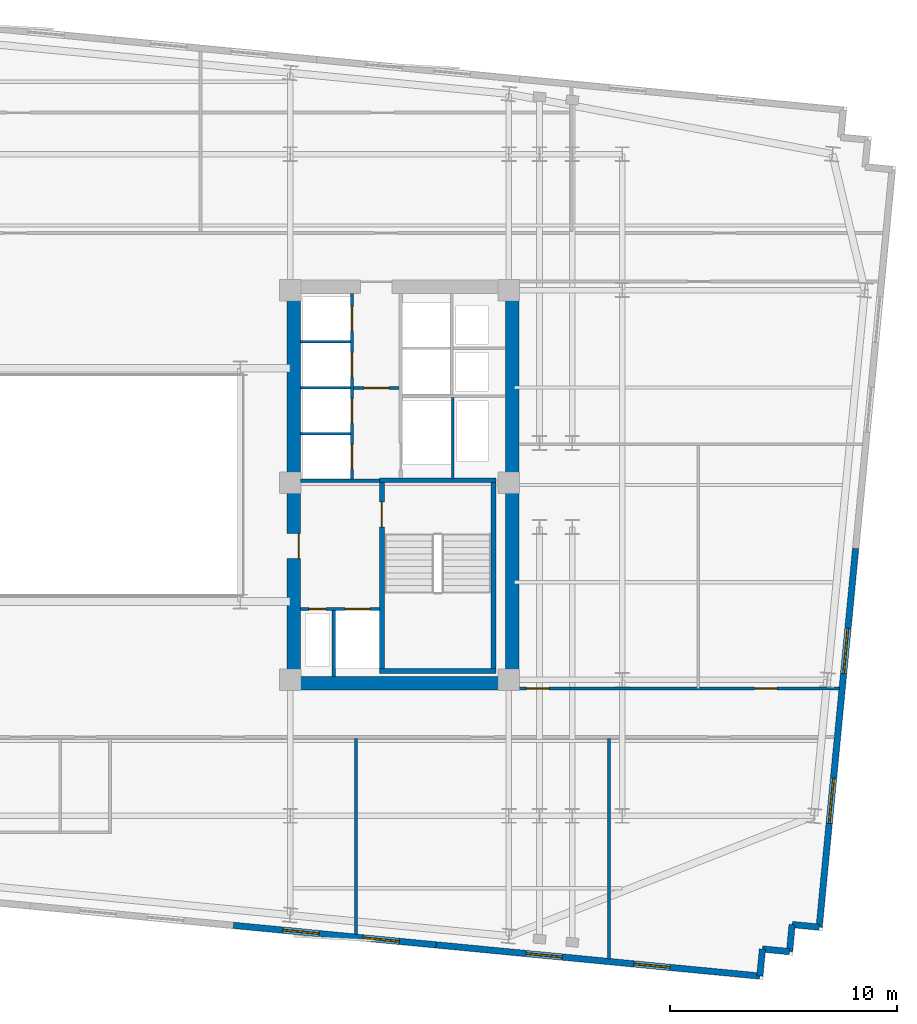
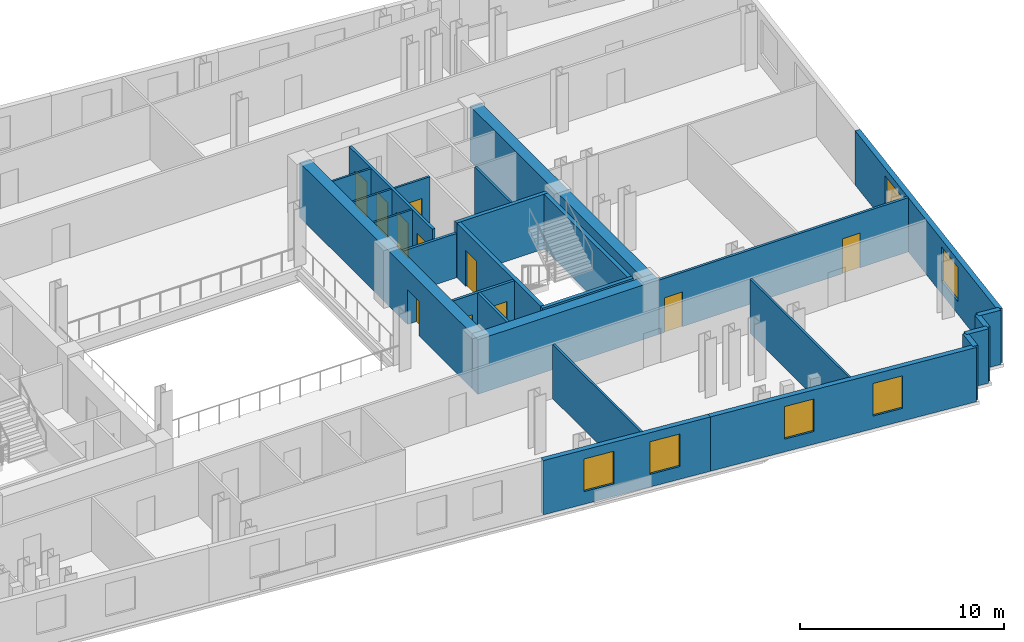
# One storey, part 5 of 9: 26 walls, 11 doors, 6 windows, 17 openings.
"""IFC4 building model written with IfcOpenShell, lengths in metres."""

from ifc_helpers import new_model, si_unit, direction, frame, frame_2d, origin, place, context, subcontext, project, spatial, rectangle, extrude, material, layer, layer_set, type_object, element, fill, save


model = new_model("IFC4")

# Units and contexts
model_context = context("Model", 3, precision=1e-05, world=origin(), true_north=direction((0.0, 1.0)))
body_context = subcontext(model_context, "Body", "Model", "MODEL_VIEW")
ifc_project = project(units=[si_unit("LENGTHUNIT", "METRE"), si_unit("AREAUNIT", "SQUARE_METRE"), si_unit("VOLUMEUNIT", "CUBIC_METRE"), si_unit("PLANEANGLEUNIT", "RADIAN"), si_unit("MASSUNIT", "GRAM", prefix="KILO")], contexts=[model_context])

# Site, building, storey
site_placement = place(None, origin())
site = spatial("IfcSite", under=ifc_project, at=site_placement, CompositionType="ELEMENT")
building_placement = place(site_placement, origin())
building = spatial("IfcBuilding", under=site, at=building_placement, Name="Velakula Bourse", CompositionType="ELEMENT")
storey_placement = place(building_placement, frame((0.0, 0.0, 181.10009765625)))
storey = spatial("IfcBuildingStorey", under=building, at=storey_placement, Name="L49", CompositionType="ELEMENT", Elevation=181.10009765625)

# Wall, opening, door
ifc_material_1 = material(Name="Concrete M50 (fck 50 MPa)", Category="concrete")
ifc_layer_1 = layer(ifc_material_1, 0.2099609375, Name="Concrete M50 (fck 50 MPa)", Category="concrete")
ifc_layer_set_1 = layer_set([ifc_layer_1], Name="Concrete M50 (fck 50 MPa)")
wall_type_1 = type_object("IfcWallType", Name="WL-CORE-210", PredefinedType="SHEAR", material=ifc_layer_set_1)
wall_1_placement = place(storey_placement, frame((12.9951171875, -8.10009765625, 0.0), z_axis=(0.0, 0.0, 1.0), x_axis=(0.0, 1.0, 0.0)))
wall_1 = element("IfcWall", 1, at=wall_1_placement, inside=storey, type_object=wall_type_1, Name="L49 Core E Stairwell Shear Wall IN", PredefinedType="SHEAR", context=body_context, shape_type="SweptSolid", body=[
    extrude(rectangle(XDim=8.2001953125, YDim=0.2099609375, at=frame_2d((4.10009765625, 0.0))), origin(), (0.0, 0.0, 1.0), 3.27001953125),
])
opening_1_placement = place(wall_1_placement, frame((6.25, 0.0, 0.0)))
opening_1 = element("IfcOpeningElement", 2, at=opening_1_placement, cuts=wall_1, Name="Opening D-STE1", PredefinedType="OPENING", context=body_context, shape_type="SweptSolid", body=[
    extrude(rectangle(XDim=1.10009765625, YDim=2.14990234375, at=frame_2d((0.550048828125, 1.074951171875))), frame((0.0, 0.114990234375, 0.0), z_axis=(0.0, -1.0, 0.0), x_axis=(1.0, 0.0, 0.0)), (0.0, 0.0, 1.0), 0.22998046875),
])
ifc_material_2 = material(Name="Galvanised painted hollow steel fire door", Category="steel")
door_type_1 = type_object("IfcDoorType", Name="DR-FD120-1100x2150", OperationType="NOTDEFINED", PredefinedType="DOOR", material=ifc_material_2)
door_1_placement = place(opening_1_placement, origin())
door_1 = element("IfcDoor", 3, at=door_1_placement, inside=storey, type_object=door_type_1, Name="L49 Stair ST-E1 Fire Door", OperationType="SINGLE_SWING_RIGHT", OverallHeight=2.14990234375, OverallWidth=1.10009765625, PredefinedType="DOOR", context=body_context, shape_type="SweptSolid", body=[
    extrude(rectangle(XDim=1.10009765625, YDim=2.14990234375, at=frame_2d((0.550048828125, 1.074951171875))), frame((0.0, 0.02490234375, 0.0), z_axis=(0.0, -1.0, 0.0), x_axis=(1.0, 0.0, 0.0)), (0.0, 0.0, 1.0), 0.050048828125),
])
fill(opening_1, door_1)

# Walls
wall_2_placement = place(storey_placement, frame((17.925048828125, -8.10009765625, 0.0), z_axis=(0.0, 0.0, 1.0), x_axis=(0.0, 1.0, 0.0)))
element("IfcWall", 4, at=wall_2_placement, inside=storey, type_object=wall_type_1, Name="L49 Core E Stairwell Shear Wall OUT", PredefinedType="SHEAR", context=body_context, shape_type="SweptSolid", body=[
    extrude(rectangle(XDim=8.2001953125, YDim=0.2099609375, at=frame_2d((4.10009765625, 0.0))), origin(), (0.0, 0.0, 1.0), 3.27001953125),
])
for number, where, z_axis, x_axis, name in (
    (5, (12.889892578125, -8.205078125, 0.0), (0.0, 0.0, 1.0), (1.0, 0.0, 0.0), "L49 Core E Stairwell Shear Wall S"),
    (6, (18.030029296875, 0.205078125, 0.0), (0.0, 0.0, 1.0), (-1.0, 0.0, 0.0), "L49 Core E Stairwell Shear Wall N"),
):
    element("IfcWall", number, at=place(storey_placement, frame(where, z_axis=z_axis, x_axis=x_axis)), inside=storey, type_object=wall_type_1, Name=name, PredefinedType="SHEAR", context=body_context, shape_type="SweptSolid", body=[
        extrude(rectangle(XDim=5.14013671875, YDim=0.2099609375, at=frame_2d((2.570068359375, 0.0))), origin(), (0.0, 0.0, 1.0), 3.27001953125),
    ])
ifc_material_3 = material(Name="Concrete M70 (fck 70 MPa)", Category="concrete")
ifc_layer_2 = layer(ifc_material_3, 0.60009765625, Name="Concrete M70 (fck 70 MPa)", Category="concrete")
ifc_layer_set_2 = layer_set([ifc_layer_2], Name="Concrete M70 (fck 70 MPa)")
wall_type_2 = type_object("IfcWallType", Name="WL-CORE-600", PredefinedType="SHEAR", material=ifc_layer_set_2)
wall_3_placement = place(storey_placement, frame((8.800048828125, -8.75, 0.0), z_axis=(0.0, 0.0, 1.0), x_axis=(1.0, 0.0, 0.0)))
element("IfcWall", 7, at=wall_3_placement, inside=storey, type_object=wall_type_2, Name="L49 Core E Shear Wall S", PredefinedType="SHEAR", context=body_context, shape_type="SweptSolid", body=[
    extrude(rectangle(XDim=10.25, YDim=0.60009765625, at=frame_2d((5.125, 0.0))), origin(), (0.0, 0.0, 1.0), 3.27001953125),
])

# Wall, opening, door
wall_4_placement = place(storey_placement, frame((9.10009765625, -8.449951171875, 0.0), z_axis=(0.0, 0.0, 1.0), x_axis=(0.0, 1.0, 0.0)))
wall_4 = element("IfcWall", 8, at=wall_4_placement, inside=storey, type_object=wall_type_2, Name="L49 Core E Shear Wall W", PredefinedType="SHEAR", context=body_context, shape_type="SweptSolid", body=[
    extrude(rectangle(XDim=16.89990234375, YDim=0.60009765625, at=frame_2d((8.449951171875, 0.0))), origin(), (0.0, 0.0, 1.0), 3.27001953125),
])
opening_2_placement = place(wall_4_placement, frame((5.199951171875, 0.0, 0.0)))
opening_2 = element("IfcOpeningElement", 9, at=opening_2_placement, cuts=wall_4, Name="Opening D-FLE", PredefinedType="OPENING", context=body_context, shape_type="SweptSolid", body=[
    extrude(rectangle(XDim=1.10009765625, YDim=2.080078125, at=frame_2d((0.550048828125, 1.0400390625))), frame((0.0, 0.31005859375, 0.0), z_axis=(0.0, -1.0, 0.0), x_axis=(1.0, 0.0, 0.0)), (0.0, 0.0, 1.0), 0.6201171875),
])
door_type_2 = type_object("IfcDoorType", Name="DR-FD120-1100", OperationType="NOTDEFINED", PredefinedType="DOOR", material=ifc_material_2)
door_2_placement = place(opening_2_placement, origin())
door_2 = element("IfcDoor", 10, at=door_2_placement, inside=storey, type_object=door_type_2, Name="L49 Firefighting Lobby E Corridor Fire Door", OperationType="SINGLE_SWING_RIGHT", OverallHeight=2.080078125, OverallWidth=1.10009765625, PredefinedType="DOOR", context=body_context, shape_type="SweptSolid", body=[
    extrude(rectangle(XDim=1.10009765625, YDim=2.080078125, at=frame_2d((0.550048828125, 1.0400390625))), frame((0.0, -0.205078125, 0.0), z_axis=(0.0, -1.0, 0.0), x_axis=(1.0, 0.0, 0.0)), (0.0, 0.0, 1.0), 0.050048828125),
])
fill(opening_2, door_2)

# Wall
wall_5_placement = place(storey_placement, frame((18.75, -8.449951171875, 0.0), z_axis=(0.0, 0.0, 1.0), x_axis=(0.0, 1.0, 0.0)))
element("IfcWall", 11, at=wall_5_placement, inside=storey, type_object=wall_type_2, Name="L49 Core E Shear Wall E", PredefinedType="SHEAR", context=body_context, shape_type="SweptSolid", body=[
    extrude(rectangle(XDim=16.89990234375, YDim=0.60009765625, at=frame_2d((8.449951171875, 0.0))), origin(), (0.0, 0.0, 1.0), 3.27001953125),
])

# Wall, openings, windows
ifc_material_4 = material(Name="Red kilned clay facing brick masonry", Category="masonry")
ifc_layer_3 = layer(ifc_material_4, 0.280029296875, Name="Red kilned clay facing brick masonry", Category="masonry")
ifc_layer_set_3 = layer_set([ifc_layer_3], Name="Red kilned clay facing brick masonry")
wall_type_3 = type_object("IfcWallType", Name="WL-EXT-BRK-280", PredefinedType="STANDARD", material=ifc_layer_set_3)
wall_6_placement = place(storey_placement, frame((15.398681640625, -20.295654296875, 0.0), z_axis=(0.0, 0.0, 1.0), x_axis=(-0.995394455533, 0.09586385082, 0.0)))
wall_6 = element("IfcWall", 12, at=wall_6_placement, inside=storey, type_object=wall_type_3, Name="L49 S Brick Spandrel Wall B4", PredefinedType="STANDARD", context=body_context, shape_type="SweptSolid", body=[
    extrude(rectangle(XDim=9.000244140625, YDim=0.280029296875, at=frame_2d((4.5, 0.0))), origin(), (0.0, 0.0, 1.0), 3.25),
])
opening_3_placement = place(wall_6_placement, frame((1.64990234375, 0.0, 0.760009765625)))
opening_3 = element("IfcOpeningElement", 13, at=opening_3_placement, cuts=wall_6, Name="Opening W-02", PredefinedType="OPENING", context=body_context, shape_type="SweptSolid", body=[
    extrude(rectangle(XDim=1.60009765625, YDim=1.949951171875, at=frame_2d((0.800048828125, 0.97509765625))), frame((0.0, 0.14990234375, 0.0), z_axis=(0.0, -1.0, 0.0), x_axis=(1.0, 0.0, 0.0)), (0.0, 0.0, 1.0), 0.300048828125),
])
opening_4_placement = place(wall_6_placement, frame((5.199951171875, 0.0, 0.760009765625)))
opening_4 = element("IfcOpeningElement", 14, at=opening_4_placement, cuts=wall_6, Name="Opening W-02", PredefinedType="OPENING", context=body_context, shape_type="SweptSolid", body=[
    extrude(rectangle(XDim=1.60009765625, YDim=1.949951171875, at=frame_2d((0.800048828125, 0.97509765625))), frame((0.0, 0.14990234375, 0.0), z_axis=(0.0, -1.0, 0.0), x_axis=(1.0, 0.0, 0.0)), (0.0, 0.0, 1.0), 0.300048828125),
])
ifc_material_5 = material(Name="Double-glazed solar-control Low-E glass", Category="glass")
window_type_1 = type_object("IfcWindowType", Name="WIN-TWR-1600x2100", PartitioningType="SINGLE_PANEL", PredefinedType="WINDOW", material=ifc_material_5)
window_1_placement = place(opening_3_placement, origin())
window_1 = element("IfcWindow", 15, at=window_1_placement, inside=storey, type_object=window_type_1, Name="L49 Deep-Set Recessed Window 1", OverallHeight=1.949951171875, OverallWidth=1.60009765625, PartitioningType="SINGLE_PANEL", PredefinedType="WINDOW", context=body_context, shape_type="SweptSolid", body=[
    extrude(rectangle(XDim=1.60009765625, YDim=1.949951171875, at=frame_2d((0.800048828125, 0.97509765625))), frame((0.0, 0.030029296875, 0.0), z_axis=(0.0, -1.0, 0.0), x_axis=(1.0, 0.0, 0.0)), (0.0, 0.0, 1.0), 0.06005859375),
])
fill(opening_3, window_1)
window_2_placement = place(opening_4_placement, origin())
window_2 = element("IfcWindow", 16, at=window_2_placement, inside=storey, type_object=window_type_1, Name="L49 Deep-Set Recessed Window 2", OverallHeight=1.949951171875, OverallWidth=1.60009765625, PartitioningType="SINGLE_PANEL", PredefinedType="WINDOW", context=body_context, shape_type="SweptSolid", body=[
    extrude(rectangle(XDim=1.60009765625, YDim=1.949951171875, at=frame_2d((0.800048828125, 0.97509765625))), frame((0.0, 0.030029296875, 0.0), z_axis=(0.0, -1.0, 0.0), x_axis=(1.0, 0.0, 0.0)), (0.0, 0.0, 1.0), 0.06005859375),
])
fill(opening_4, window_2)

wall_7_placement = place(storey_placement, frame((29.672607421875, -21.669921875, 0.0), z_axis=(0.0, 0.0, 1.0), x_axis=(-0.995397230529, 0.095835032509, 0.0)))
wall_7 = element("IfcWall", 17, at=wall_7_placement, inside=storey, type_object=wall_type_3, Name="L49 S Brick Spandrel Wall B5", PredefinedType="STANDARD", context=body_context, shape_type="SweptSolid", body=[
    extrude(rectangle(XDim=14.33984375, YDim=0.280029296875, at=frame_2d((7.169921875, 0.0))), origin(), (0.0, 0.0, 1.0), 3.25),
])
opening_5_placement = place(wall_7_placement, frame((3.97998046875, 0.0, 0.760009765625)))
opening_5 = element("IfcOpeningElement", 18, at=opening_5_placement, cuts=wall_7, Name="Opening W-02", PredefinedType="OPENING", context=body_context, shape_type="SweptSolid", body=[
    extrude(rectangle(XDim=1.60009765625, YDim=1.949951171875, at=frame_2d((0.800048828125, 0.97509765625))), frame((0.0, 0.14990234375, 0.0), z_axis=(0.0, -1.0, 0.0), x_axis=(1.0, 0.0, 0.0)), (0.0, 0.0, 1.0), 0.300048828125),
])
opening_6_placement = place(wall_7_placement, frame((8.760009765625, 0.0, 0.760009765625)))
opening_6 = element("IfcOpeningElement", 19, at=opening_6_placement, cuts=wall_7, Name="Opening W-02", PredefinedType="OPENING", context=body_context, shape_type="SweptSolid", body=[
    extrude(rectangle(XDim=1.60009765625, YDim=1.949951171875, at=frame_2d((0.800048828125, 0.97509765625))), frame((0.0, 0.14990234375, 0.0), z_axis=(0.0, -1.0, 0.0), x_axis=(1.0, 0.0, 0.0)), (0.0, 0.0, 1.0), 0.300048828125),
])
window_3_placement = place(opening_5_placement, origin())
window_3 = element("IfcWindow", 20, at=window_3_placement, inside=storey, type_object=window_type_1, Name="L49 Deep-Set Recessed Window 1", OverallHeight=1.949951171875, OverallWidth=1.60009765625, PartitioningType="SINGLE_PANEL", PredefinedType="WINDOW", context=body_context, shape_type="SweptSolid", body=[
    extrude(rectangle(XDim=1.60009765625, YDim=1.949951171875, at=frame_2d((0.800048828125, 0.97509765625))), frame((0.0, 0.030029296875, 0.0), z_axis=(0.0, -1.0, 0.0), x_axis=(1.0, 0.0, 0.0)), (0.0, 0.0, 1.0), 0.06005859375),
])
fill(opening_5, window_3)
window_4_placement = place(opening_6_placement, origin())
window_4 = element("IfcWindow", 21, at=window_4_placement, inside=storey, type_object=window_type_1, Name="L49 Deep-Set Recessed Window 2", OverallHeight=1.949951171875, OverallWidth=1.60009765625, PartitioningType="SINGLE_PANEL", PredefinedType="WINDOW", context=body_context, shape_type="SweptSolid", body=[
    extrude(rectangle(XDim=1.60009765625, YDim=1.949951171875, at=frame_2d((0.800048828125, 0.97509765625))), frame((0.0, 0.030029296875, 0.0), z_axis=(0.0, -1.0, 0.0), x_axis=(1.0, 0.0, 0.0)), (0.0, 0.0, 1.0), 0.06005859375),
])
fill(opening_6, window_4)

wall_8_placement = place(storey_placement, frame((33.90087890625, -2.79833984375, 0.0), z_axis=(0.0, 0.0, 1.0), x_axis=(-0.095853434568, -0.99539545864, 0.0)))
wall_8 = element("IfcWall", 22, at=wall_8_placement, inside=storey, type_object=wall_type_3, Name="L49 E Brick End Wall W1", PredefinedType="STANDARD", context=body_context, shape_type="SweptSolid", body=[
    extrude(rectangle(XDim=16.7900390625, YDim=0.280029296875, at=frame_2d((8.39501953125, 0.0))), origin(), (0.0, 0.0, 1.0), 3.25),
])
opening_7_placement = place(wall_8_placement, frame((3.546630859375, 0.0, 0.760009765625)))
opening_7 = element("IfcOpeningElement", 23, at=opening_7_placement, cuts=wall_8, Name="Opening W-05", PredefinedType="OPENING", context=body_context, shape_type="SweptSolid", body=[
    extrude(rectangle(XDim=2.0, YDim=2.050048828125, at=frame_2d((1.0, 1.02490234375))), frame((0.0, 0.14990234375, 0.0), z_axis=(0.0, -1.0, 0.0), x_axis=(1.0, 0.0, 0.0)), (0.0, 0.0, 1.0), 0.300048828125),
])
opening_8_placement = place(wall_8_placement, frame((10.193359375, 0.0, 0.760009765625)))
opening_8 = element("IfcOpeningElement", 24, at=opening_8_placement, cuts=wall_8, Name="Opening W-05", PredefinedType="OPENING", context=body_context, shape_type="SweptSolid", body=[
    extrude(rectangle(XDim=2.0, YDim=2.050048828125, at=frame_2d((1.0, 1.02490234375))), frame((0.0, 0.14990234375, 0.0), z_axis=(0.0, -1.0, 0.0), x_axis=(1.0, 0.0, 0.0)), (0.0, 0.0, 1.0), 0.300048828125),
])
window_type_2 = type_object("IfcWindowType", Name="WIN-TWR-2000x2200", PartitioningType="DOUBLE_PANEL_VERTICAL", PredefinedType="WINDOW", material=ifc_material_5)
window_5_placement = place(opening_7_placement, origin())
window_5 = element("IfcWindow", 25, at=window_5_placement, inside=storey, type_object=window_type_2, Name="L49 Deep-Set Recessed Window 1", OverallHeight=2.050048828125, OverallWidth=2.0, PartitioningType="DOUBLE_PANEL_VERTICAL", PredefinedType="WINDOW", context=body_context, shape_type="SweptSolid", body=[
    extrude(rectangle(XDim=2.0, YDim=2.050048828125, at=frame_2d((1.0, 1.02490234375))), frame((0.0, 0.030029296875, 0.0), z_axis=(0.0, -1.0, 0.0), x_axis=(1.0, 0.0, 0.0)), (0.0, 0.0, 1.0), 0.06005859375),
])
fill(opening_7, window_5)
window_6_placement = place(opening_8_placement, origin())
window_6 = element("IfcWindow", 26, at=window_6_placement, inside=storey, type_object=window_type_2, Name="L49 Deep-Set Recessed Window 2", OverallHeight=2.050048828125, OverallWidth=2.0, PartitioningType="DOUBLE_PANEL_VERTICAL", PredefinedType="WINDOW", context=body_context, shape_type="SweptSolid", body=[
    extrude(rectangle(XDim=2.0, YDim=2.050048828125, at=frame_2d((1.0, 1.02490234375))), frame((0.0, 0.030029296875, 0.0), z_axis=(0.0, -1.0, 0.0), x_axis=(1.0, 0.0, 0.0)), (0.0, 0.0, 1.0), 0.06005859375),
])
fill(opening_8, window_6)

# Walls
for number, where, z_axis, x_axis, name in (
    (27, (29.672607421875, -21.669921875, 0.0), (0.0, 0.0, 1.0), (0.095836473879, 0.995397091755, 0.0), "L49 Serrated Corner Brick Wall SE-1"),
    (28, (29.78759765625, -20.4755859375, 0.0), (0.0, 0.0, 1.0), (0.995397091755, -0.095836473879, 0.0), "L49 Serrated Corner Brick Wall SE-2"),
):
    element("IfcWall", number, at=place(storey_placement, frame(where, z_axis=z_axis, x_axis=x_axis)), inside=storey, type_object=wall_type_3, Name=name, PredefinedType="STANDARD", context=body_context, shape_type="SweptSolid", body=[
        extrude(rectangle(XDim=1.199951171875, YDim=0.280029296875, at=frame_2d((0.60009765625, 0.0))), origin(), (0.0, 0.0, 1.0), 3.25),
    ])
wall_9_placement = place(storey_placement, frame((30.98193359375, -20.590576171875, 0.0), z_axis=(0.0, 0.0, 1.0), x_axis=(0.096018626938, 0.995379537303, 0.0)))
element("IfcWall", 29, at=wall_9_placement, inside=storey, type_object=wall_type_3, Name="L49 Serrated Corner Brick Wall SE-3", PredefinedType="STANDARD", context=body_context, shape_type="SweptSolid", body=[
    extrude(rectangle(XDim=1.2001953125, YDim=0.280029296875, at=frame_2d((0.60009765625, 0.0))), origin(), (0.0, 0.0, 1.0), 3.25),
])
wall_10_placement = place(storey_placement, frame((31.09716796875, -19.39599609375, 0.0), z_axis=(0.0, 0.0, 1.0), x_axis=(0.995397091755, -0.095836473879, 0.0)))
element("IfcWall", 30, at=wall_10_placement, inside=storey, type_object=wall_type_3, Name="L49 Serrated Corner Brick Wall SE-4", PredefinedType="STANDARD", context=body_context, shape_type="SweptSolid", body=[
    extrude(rectangle(XDim=1.199951171875, YDim=0.280029296875, at=frame_2d((0.60009765625, 0.0))), origin(), (0.0, 0.0, 1.0), 3.25),
])

# Wall, opening, door
ifc_material_6 = material(Name="Fire-rated double-layer gypsum drywall partition", Category="gypsum")
ifc_layer_4 = layer(ifc_material_6, 0.1201171875, Name="Fire-rated double-layer gypsum drywall partition", Category="gypsum")
ifc_layer_set_4 = layer_set([ifc_layer_4], Name="Fire-rated double-layer gypsum drywall partition")
wall_type_4 = type_object("IfcWallType", Name="WL-PART-120", PredefinedType="STANDARD", material=ifc_layer_set_4)
wall_11_placement = place(storey_placement, frame((11.75, 4.280029296875, 0.0), z_axis=(0.0, 0.0, 1.0), x_axis=(1.0, 0.0, 0.0)))
wall_11 = element("IfcWall", 31, at=wall_11_placement, inside=storey, type_object=wall_type_4, Name="L49 Interior Partition WL-CRE-L49-LL-K2", PredefinedType="STANDARD", context=body_context, shape_type="SweptSolid", body=[
    extrude(rectangle(XDim=2.0, YDim=0.1201171875, at=frame_2d((1.0, 0.0))), origin(), (0.0, 0.0, 1.0), 3.25),
])
opening_9_placement = place(wall_11_placement, frame((0.449951171875, 0.0, 0.0)))
opening_9 = element("IfcOpeningElement", 32, at=opening_9_placement, cuts=wall_11, Name="Opening D-LK2", PredefinedType="OPENING", context=body_context, shape_type="SweptSolid", body=[
    extrude(rectangle(XDim=1.10009765625, YDim=2.10009765625, at=frame_2d((0.550048828125, 1.050048828125))), frame((0.0, 0.070068359375, 0.0), z_axis=(0.0, -1.0, 0.0), x_axis=(1.0, 0.0, 0.0)), (0.0, 0.0, 1.0), 0.14013671875),
])
ifc_material_7 = material(Name="Fire-rated hardwood flush architectural door", Category="wood")
door_type_3 = type_object("IfcDoorType", Name="DR-FD60-1100x2100", OperationType="NOTDEFINED", PredefinedType="DOOR", material=ifc_material_7)
door_3_placement = place(opening_9_placement, origin())
door_3 = element("IfcDoor", 33, at=door_3_placement, inside=storey, type_object=door_type_3, Name="L49 Core E Lift Lobby Zone Door", OperationType="SINGLE_SWING_LEFT", OverallHeight=2.10009765625, OverallWidth=1.10009765625, PredefinedType="DOOR", context=body_context, shape_type="SweptSolid", body=[
    extrude(rectangle(XDim=1.10009765625, YDim=2.10009765625, at=frame_2d((0.550048828125, 1.050048828125))), frame((0.0, 0.02490234375, 0.0), z_axis=(0.0, -1.0, 0.0), x_axis=(1.0, 0.0, 0.0)), (0.0, 0.0, 1.0), 0.050048828125),
])
fill(opening_9, door_3)

# Walls
for number, where, z_axis, x_axis, name in (
    (34, (9.39990234375, 2.2548828125, 0.0), (0.0, 0.0, 1.0), (1.0, 0.0, 0.0), "L49 Interior Partition WL-CRE-L49-BDIV-0"),
    (35, (9.39990234375, 4.284912109375, 0.0), (0.0, 0.0, 1.0), (1.0, 0.0, 0.0), "L49 Interior Partition WL-CRE-L49-BDIV-1"),
    (36, (9.39990234375, 6.31494140625, 0.0), (0.0, 0.0, 1.0), (1.0, 0.0, 0.0), "L49 Interior Partition WL-CRE-L49-BDIV-2"),
):
    element("IfcWall", number, at=place(storey_placement, frame(where, z_axis=z_axis, x_axis=x_axis)), inside=storey, type_object=wall_type_4, Name=name, PredefinedType="STANDARD", context=body_context, shape_type="SweptSolid", body=[
        extrude(rectangle(XDim=2.2001953125, YDim=0.110107421875, at=frame_2d((1.10009765625, 0.0))), origin(), (0.0, 0.0, 1.0), 3.25),
    ])
wall_12_placement = place(storey_placement, frame((16.125, 0.27001953125, 0.0), z_axis=(0.0, 0.0, 1.0), x_axis=(0.0, 1.0, 0.0)))
element("IfcWall", 37, at=wall_12_placement, inside=storey, type_object=wall_type_4, Name="L49 Interior Partition WL-CRE-L49-SVL-E", PredefinedType="STANDARD", context=body_context, shape_type="SweptSolid", body=[
    extrude(rectangle(XDim=3.590087890625, YDim=0.1201171875, at=frame_2d((1.794921875, 0.0))), origin(), (0.0, 0.0, 1.0), 3.25),
])
wall_13_placement = place(storey_placement, frame((11.85009765625, -19.833251953125, 0.0), z_axis=(0.0, 0.0, 1.0), x_axis=(0.0, 1.0, 0.0)))
element("IfcWall", 38, at=wall_13_placement, inside=storey, type_object=wall_type_4, Name="L49 Interior Partition WL-INT-L49-SR-D7", PredefinedType="STANDARD", context=body_context, shape_type="SweptSolid", body=[
    extrude(rectangle(XDim=8.643310546875, YDim=0.1201171875, at=frame_2d((4.32177734375, 0.0))), origin(), (0.0, 0.0, 1.0), 3.25),
])
wall_14_placement = place(storey_placement, frame((23.01904296875, -20.90869140625, 0.0), z_axis=(0.0, 0.0, 1.0), x_axis=(0.0, 1.0, 0.0)))
element("IfcWall", 39, at=wall_14_placement, inside=storey, type_object=wall_type_4, Name="L49 Interior Partition WL-INT-L49-SR-D8", PredefinedType="STANDARD", context=body_context, shape_type="SweptSolid", body=[
    extrude(rectangle(XDim=9.71875, YDim=0.1201171875, at=frame_2d((4.859375, 0.0))), origin(), (0.0, 0.0, 1.0), 3.25),
])

# Wall, openings, doors
ifc_layer_5 = layer(ifc_material_6, 0.139892578125, Name="Fire-rated double-layer gypsum drywall partition", Category="gypsum")
ifc_layer_set_5 = layer_set([ifc_layer_5], Name="Fire-rated double-layer gypsum drywall partition")
wall_type_5 = type_object("IfcWallType", Name="WL-PART-140", PredefinedType="STANDARD", material=ifc_layer_set_5)
wall_15_placement = place(storey_placement, frame((19.050048828125, -8.97998046875, 0.0), z_axis=(0.0, 0.0, 1.0), x_axis=(1.0, 0.0, 0.0)))
wall_15 = element("IfcWall", 40, at=wall_15_placement, inside=storey, type_object=wall_type_5, Name="L49 Interior Partition WL-INT-L49-E-SC", PredefinedType="STANDARD", context=body_context, shape_type="SweptSolid", body=[
    extrude(rectangle(XDim=14.135009765625, YDim=0.139892578125, at=frame_2d((7.0673828125, 0.0))), origin(), (0.0, 0.0, 1.0), 3.25),
])
opening_10_placement = place(wall_15_placement, frame((0.320068359375, 0.0, 0.0)))
opening_10 = element("IfcOpeningElement", 41, at=opening_10_placement, cuts=wall_15, Name="Opening D-OF1", PredefinedType="OPENING", context=body_context, shape_type="SweptSolid", body=[
    extrude(rectangle(XDim=1.0, YDim=2.080078125, at=frame_2d((0.5, 1.0400390625))), frame((0.0, 0.079833984375, 0.0), z_axis=(0.0, -1.0, 0.0), x_axis=(1.0, 0.0, 0.0)), (0.0, 0.0, 1.0), 0.159912109375),
])
opening_11_placement = place(wall_15_placement, frame((10.388427734375, 0.0, 0.0)))
opening_11 = element("IfcOpeningElement", 42, at=opening_11_placement, cuts=wall_15, Name="Opening D-OF1", PredefinedType="OPENING", context=body_context, shape_type="SweptSolid", body=[
    extrude(rectangle(XDim=1.0, YDim=2.080078125, at=frame_2d((0.5, 1.0400390625))), frame((0.0, 0.079833984375, 0.0), z_axis=(0.0, -1.0, 0.0), x_axis=(1.0, 0.0, 0.0)), (0.0, 0.0, 1.0), 0.159912109375),
])
door_type_4 = type_object("IfcDoorType", Name="DR-OFF-1000", OperationType="NOTDEFINED", PredefinedType="DOOR", material=ifc_material_7)
door_4_placement = place(opening_10_placement, origin())
door_4 = element("IfcDoor", 43, at=door_4_placement, inside=storey, type_object=door_type_4, Name="L49 Commodity Futures Workspace Door", OperationType="SINGLE_SWING_LEFT", OverallHeight=2.080078125, OverallWidth=1.0, PredefinedType="DOOR", context=body_context, shape_type="SweptSolid", body=[
    extrude(rectangle(XDim=1.0, YDim=2.080078125, at=frame_2d((0.5, 1.0400390625))), frame((0.0, 0.02490234375, 0.0), z_axis=(0.0, -1.0, 0.0), x_axis=(1.0, 0.0, 0.0)), (0.0, 0.0, 1.0), 0.050048828125),
])
fill(opening_10, door_4)
door_5_placement = place(opening_11_placement, origin())
door_5 = element("IfcDoor", 44, at=door_5_placement, inside=storey, type_object=door_type_4, Name="L49 Primary Dealer Office Door", OperationType="SINGLE_SWING_RIGHT", OverallHeight=2.080078125, OverallWidth=1.0, PredefinedType="DOOR", context=body_context, shape_type="SweptSolid", body=[
    extrude(rectangle(XDim=1.0, YDim=2.080078125, at=frame_2d((0.5, 1.0400390625))), frame((0.0, 0.02490234375, 0.0), z_axis=(0.0, -1.0, 0.0), x_axis=(1.0, 0.0, 0.0)), (0.0, 0.0, 1.0), 0.050048828125),
])
fill(opening_11, door_5)

ifc_material_8 = material(Name="Autoclaved aerated concrete blockwork masonry", Category="masonry")
ifc_layer_6 = layer(ifc_material_8, 0.14990234375, Name="Autoclaved aerated concrete blockwork masonry", Category="masonry")
ifc_layer_set_6 = layer_set([ifc_layer_6], Name="Autoclaved aerated concrete blockwork masonry")
wall_type_6 = type_object("IfcWallType", Name="WL-SHAFT-150", PredefinedType="STANDARD", material=ifc_layer_set_6)
wall_16_placement = place(storey_placement, frame((9.39990234375, -5.47509765625, 0.0), z_axis=(0.0, 0.0, 1.0), x_axis=(1.0, 0.0, 0.0)))
wall_16 = element("IfcWall", 45, at=wall_16_placement, inside=storey, type_object=wall_type_6, Name="L49 Interior Partition WL-CRE-L49-FFL-N", PredefinedType="STANDARD", context=body_context, shape_type="SweptSolid", body=[
    extrude(rectangle(XDim=3.4951171875, YDim=0.14990234375, at=frame_2d((1.74755859375, 0.0))), origin(), (0.0, 0.0, 1.0), 3.25),
])
opening_12_placement = place(wall_16_placement, frame((1.97509765625, 0.0, 0.0)))
opening_12 = element("IfcOpeningElement", 46, at=opening_12_placement, cuts=wall_16, Name="Opening LD-FFL-2", PredefinedType="OPENING", context=body_context, shape_type="SweptSolid", body=[
    extrude(rectangle(XDim=1.10009765625, YDim=2.14990234375, at=frame_2d((0.550048828125, 1.074951171875))), frame((0.0, 0.0849609375, 0.0), z_axis=(0.0, -1.0, 0.0), x_axis=(1.0, 0.0, 0.0)), (0.0, 0.0, 1.0), 0.169921875),
])
opening_13_placement = place(wall_16_placement, frame((0.375, 0.0, 0.0)))
opening_13 = element("IfcOpeningElement", 47, at=opening_13_placement, cuts=wall_16, Name="Opening D-RS1", PredefinedType="OPENING", context=body_context, shape_type="SweptSolid", body=[
    extrude(rectangle(XDim=0.75, YDim=2.050048828125, at=frame_2d((0.375, 1.02490234375))), frame((0.0, 0.0849609375, 0.0), z_axis=(0.0, -1.0, 0.0), x_axis=(1.0, 0.0, 0.0)), (0.0, 0.0, 1.0), 0.169921875),
])
door_type_5 = type_object("IfcDoorType", Name="DR-RISER-800", OperationType="NOTDEFINED", PredefinedType="DOOR", material=ifc_material_2)
door_6_placement = place(opening_13_placement, origin())
door_6 = element("IfcDoor", 48, at=door_6_placement, inside=storey, type_object=door_type_5, Name="L49 Fire Riser Access Door", OperationType="SINGLE_SWING_LEFT", OverallHeight=2.050048828125, OverallWidth=0.75, PredefinedType="DOOR", context=body_context, shape_type="SweptSolid", body=[
    extrude(rectangle(XDim=0.75, YDim=2.050048828125, at=frame_2d((0.375, 1.02490234375))), frame((0.0, 0.02490234375, 0.0), z_axis=(0.0, -1.0, 0.0), x_axis=(1.0, 0.0, 0.0)), (0.0, 0.0, 1.0), 0.050048828125),
])
fill(opening_13, door_6)
ifc_material_9 = material(Name="Brushed grade 316 stainless steel", Category="steel")
door_type_6 = type_object("IfcDoorType", Name="DR-SLIDE-FFL-1100", OperationType="DOUBLE_DOOR_SLIDING", PredefinedType="DOOR", material=ifc_material_9)
door_7_placement = place(opening_12_placement, origin())
door_7 = element("IfcDoor", 49, at=door_7_placement, inside=storey, type_object=door_type_6, Name="L49 Firefighting Lift FFL-2 Sliding Landing Door", OperationType="DOUBLE_DOOR_SLIDING", OverallHeight=2.14990234375, OverallWidth=1.10009765625, PredefinedType="DOOR", context=body_context, shape_type="SweptSolid", body=[
    extrude(rectangle(XDim=1.10009765625, YDim=2.14990234375, at=frame_2d((0.550048828125, 1.074951171875))), frame((0.0, 0.02490234375, 0.0), z_axis=(0.0, -1.0, 0.0), x_axis=(1.0, 0.0, 0.0)), (0.0, 0.0, 1.0), 0.050048828125),
])
fill(opening_12, door_7)

# Walls
wall_17_placement = place(storey_placement, frame((10.875, -8.449951171875, 0.0), z_axis=(0.0, 0.0, 1.0), x_axis=(0.0, 1.0, 0.0)))
element("IfcWall", 50, at=wall_17_placement, inside=storey, type_object=wall_type_6, Name="L49 Interior Partition WL-CRE-L49-FR-DIV", PredefinedType="STANDARD", context=body_context, shape_type="SweptSolid", body=[
    extrude(rectangle(XDim=2.89990234375, YDim=0.14990234375, at=frame_2d((1.449951171875, 0.0))), origin(), (0.0, 0.0, 1.0), 3.25),
])
wall_18_placement = place(storey_placement, frame((9.39990234375, 0.18994140625, 0.0), z_axis=(0.0, 0.0, 1.0), x_axis=(1.0, 0.0, 0.0)))
element("IfcWall", 51, at=wall_18_placement, inside=storey, type_object=wall_type_6, Name="L49 Interior Partition WL-CRE-L49-FF-TOP", PredefinedType="STANDARD", context=body_context, shape_type="SweptSolid", body=[
    extrude(rectangle(XDim=3.489990234375, YDim=0.14990234375, at=frame_2d((1.7451171875, 0.0))), origin(), (0.0, 0.0, 1.0), 2.64501953125),
])

# Wall, openings, doors
wall_19_placement = place(storey_placement, frame((11.675048828125, 0.27001953125, 0.0), z_axis=(0.0, 0.0, 1.0), x_axis=(0.0, 1.0, 0.0)))
wall_19 = element("IfcWall", 52, at=wall_19_placement, inside=storey, type_object=wall_type_6, Name="L49 Interior Partition WL-CRE-L49-BANK-F", PredefinedType="STANDARD", context=body_context, shape_type="SweptSolid", body=[
    extrude(rectangle(XDim=8.179931640625, YDim=0.14990234375, at=frame_2d((4.08984375, 0.0))), origin(), (0.0, 0.0, 1.0), 3.25),
])
opening_14_placement = place(wall_19_placement, frame((0.419921875, 0.0, 0.0)))
opening_14 = element("IfcOpeningElement", 53, at=opening_14_placement, cuts=wall_19, Name="Opening LD-P5", PredefinedType="OPENING", context=body_context, shape_type="SweptSolid", body=[
    extrude(rectangle(XDim=1.10009765625, YDim=2.10009765625, at=frame_2d((0.550048828125, 1.050048828125))), frame((0.0, 0.0849609375, 0.0), z_axis=(0.0, -1.0, 0.0), x_axis=(1.0, 0.0, 0.0)), (0.0, 0.0, 1.0), 0.169921875),
])
opening_15_placement = place(wall_19_placement, frame((2.449951171875, 0.0, 0.0)))
opening_15 = element("IfcOpeningElement", 54, at=opening_15_placement, cuts=wall_19, Name="Opening LD-P6", PredefinedType="OPENING", context=body_context, shape_type="SweptSolid", body=[
    extrude(rectangle(XDim=1.10009765625, YDim=2.10009765625, at=frame_2d((0.550048828125, 1.050048828125))), frame((0.0, 0.0849609375, 0.0), z_axis=(0.0, -1.0, 0.0), x_axis=(1.0, 0.0, 0.0)), (0.0, 0.0, 1.0), 0.169921875),
])
opening_16_placement = place(wall_19_placement, frame((4.47998046875, 0.0, 0.0)))
opening_16 = element("IfcOpeningElement", 55, at=opening_16_placement, cuts=wall_19, Name="Opening LD-P7", PredefinedType="OPENING", context=body_context, shape_type="SweptSolid", body=[
    extrude(rectangle(XDim=1.10009765625, YDim=2.10009765625, at=frame_2d((0.550048828125, 1.050048828125))), frame((0.0, 0.0849609375, 0.0), z_axis=(0.0, -1.0, 0.0), x_axis=(1.0, 0.0, 0.0)), (0.0, 0.0, 1.0), 0.169921875),
])
opening_17_placement = place(wall_19_placement, frame((6.510009765625, 0.0, 0.0)))
opening_17 = element("IfcOpeningElement", 56, at=opening_17_placement, cuts=wall_19, Name="Opening LD-P8", PredefinedType="OPENING", context=body_context, shape_type="SweptSolid", body=[
    extrude(rectangle(XDim=1.10009765625, YDim=2.10009765625, at=frame_2d((0.550048828125, 1.050048828125))), frame((0.0, 0.0849609375, 0.0), z_axis=(0.0, -1.0, 0.0), x_axis=(1.0, 0.0, 0.0)), (0.0, 0.0, 1.0), 0.169921875),
])
door_type_7 = type_object("IfcDoorType", Name="DR-SLIDE-LD-1100", OperationType="DOUBLE_DOOR_SLIDING", PredefinedType="DOOR", material=ifc_material_9)
door_8_placement = place(opening_14_placement, origin())
door_8 = element("IfcDoor", 57, at=door_8_placement, inside=storey, type_object=door_type_7, Name="L49 Passenger Lift P5 Sliding Landing Door", OperationType="DOUBLE_DOOR_SLIDING", OverallHeight=2.10009765625, OverallWidth=1.10009765625, PredefinedType="DOOR", context=body_context, shape_type="SweptSolid", body=[
    extrude(rectangle(XDim=1.10009765625, YDim=2.10009765625, at=frame_2d((0.550048828125, 1.050048828125))), frame((0.0, 0.02490234375, 0.0), z_axis=(0.0, -1.0, 0.0), x_axis=(1.0, 0.0, 0.0)), (0.0, 0.0, 1.0), 0.050048828125),
])
fill(opening_14, door_8)
door_9_placement = place(opening_15_placement, origin())
door_9 = element("IfcDoor", 58, at=door_9_placement, inside=storey, type_object=door_type_7, Name="L49 Passenger Lift P6 Sliding Landing Door", OperationType="DOUBLE_DOOR_SLIDING", OverallHeight=2.10009765625, OverallWidth=1.10009765625, PredefinedType="DOOR", context=body_context, shape_type="SweptSolid", body=[
    extrude(rectangle(XDim=1.10009765625, YDim=2.10009765625, at=frame_2d((0.550048828125, 1.050048828125))), frame((0.0, 0.02490234375, 0.0), z_axis=(0.0, -1.0, 0.0), x_axis=(1.0, 0.0, 0.0)), (0.0, 0.0, 1.0), 0.050048828125),
])
fill(opening_15, door_9)
door_10_placement = place(opening_16_placement, origin())
door_10 = element("IfcDoor", 59, at=door_10_placement, inside=storey, type_object=door_type_7, Name="L49 Passenger Lift P7 Sliding Landing Door", OperationType="DOUBLE_DOOR_SLIDING", OverallHeight=2.10009765625, OverallWidth=1.10009765625, PredefinedType="DOOR", context=body_context, shape_type="SweptSolid", body=[
    extrude(rectangle(XDim=1.10009765625, YDim=2.10009765625, at=frame_2d((0.550048828125, 1.050048828125))), frame((0.0, 0.02490234375, 0.0), z_axis=(0.0, -1.0, 0.0), x_axis=(1.0, 0.0, 0.0)), (0.0, 0.0, 1.0), 0.050048828125),
])
fill(opening_16, door_10)
door_11_placement = place(opening_17_placement, origin())
door_11 = element("IfcDoor", 60, at=door_11_placement, inside=storey, type_object=door_type_7, Name="L49 Passenger Lift P8 Sliding Landing Door", OperationType="DOUBLE_DOOR_SLIDING", OverallHeight=2.10009765625, OverallWidth=1.10009765625, PredefinedType="DOOR", context=body_context, shape_type="SweptSolid", body=[
    extrude(rectangle(XDim=1.10009765625, YDim=2.10009765625, at=frame_2d((0.550048828125, 1.050048828125))), frame((0.0, 0.02490234375, 0.0), z_axis=(0.0, -1.0, 0.0), x_axis=(1.0, 0.0, 0.0)), (0.0, 0.0, 1.0), 0.050048828125),
])
fill(opening_17, door_11)

save(model, "model.ifc")
